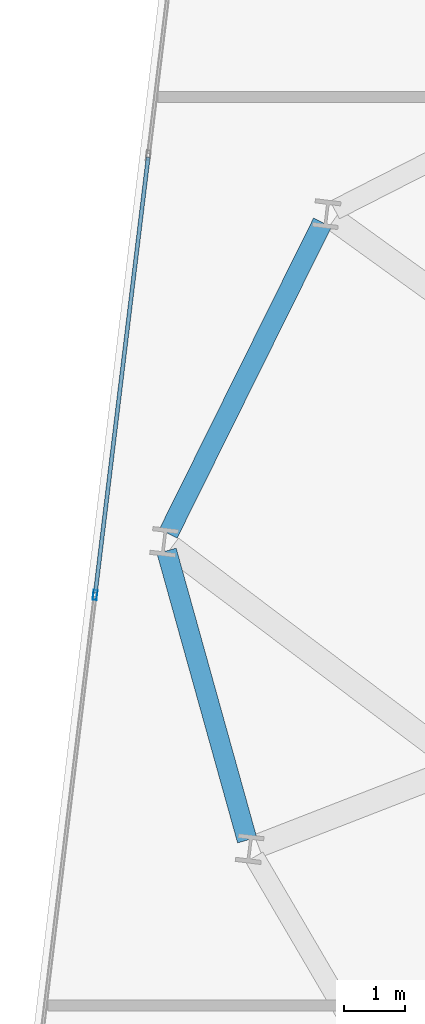
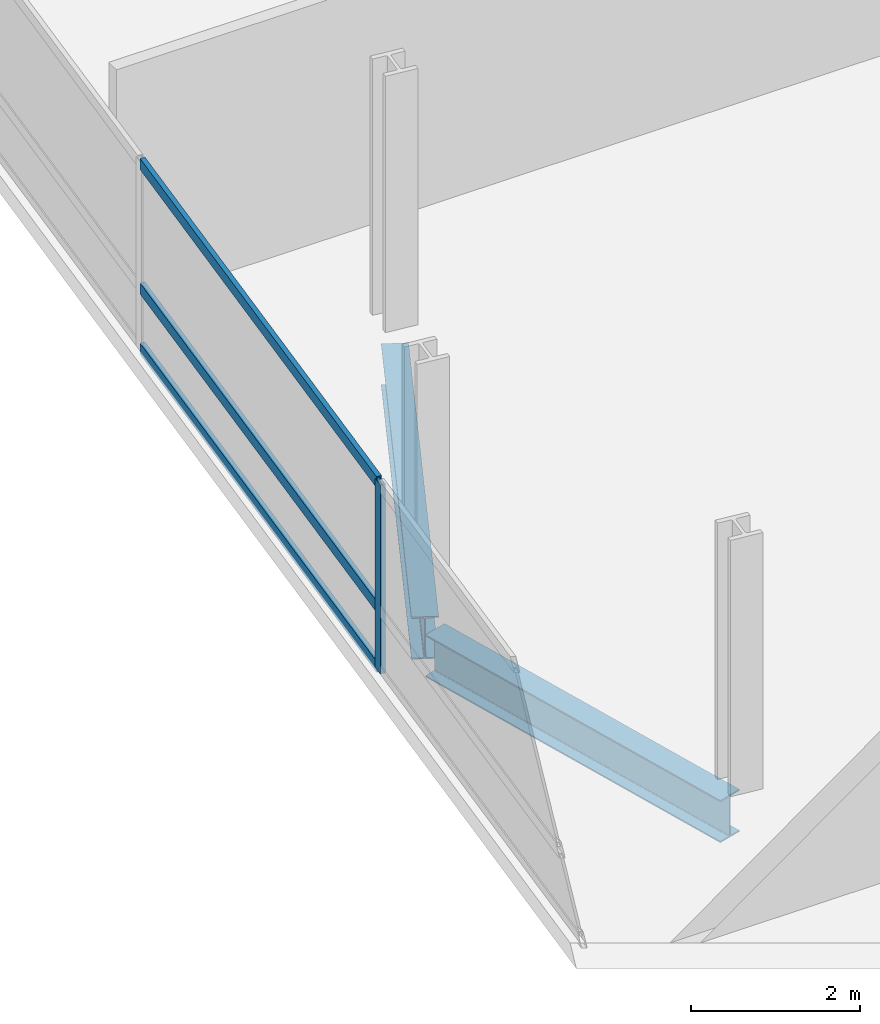
# One storey, part 8 of 25: 4 members, 2 beams, 1 element without a shape of its own.
"""IFC4 building model written with IfcOpenShell, lengths in metres."""

from ifc_helpers import new_model, si_unit, direction, frame, origin, origin_2d, place, context, subcontext, project, spatial, hollow_rectangle, i_section, extrude, material, layer, layer_set, material_profile, profile_set, type_object, element, aggregate, save


model = new_model("IFC4")

# Units and contexts
model_context = context("Model", 3, precision=1e-05, world=origin(), true_north=direction((0.0, 1.0)))
body_context = subcontext(model_context, "Body", "Model", "MODEL_VIEW")
ifc_project = project(units=[si_unit("LENGTHUNIT", "METRE"), si_unit("AREAUNIT", "SQUARE_METRE"), si_unit("VOLUMEUNIT", "CUBIC_METRE"), si_unit("PLANEANGLEUNIT", "RADIAN"), si_unit("MASSUNIT", "GRAM", prefix="KILO")], contexts=[model_context])

# Site, building, storey
site_placement = place(None, origin())
site = spatial("IfcSite", under=ifc_project, at=site_placement, CompositionType="ELEMENT")
building_placement = place(site_placement, origin())
building = spatial("IfcBuilding", under=site, at=building_placement, Name="Varnelok Gate Tower", CompositionType="ELEMENT")
storey_placement = place(building_placement, frame((0.0, 0.0, 140.199951171875)))
storey = spatial("IfcBuildingStorey", under=building, at=storey_placement, Name="L35", CompositionType="ELEMENT", Elevation=140.199951171875)

# Beams
ifc_material_1 = material(Name="Structural Steel ASTM A992 Grade 50", Category="steel")
ifc_material_profile_1 = material_profile(ifc_material_1, i_section(OverallWidth=0.323974609375, OverallDepth=0.611083984375, WebThickness=0.0126953125, FlangeThickness=0.01904296875, FilletRadius=0.01806640625, at=origin_2d()), Name="W24X104")
ifc_profile_set_1 = profile_set([ifc_material_profile_1], Name="Structural Steel ASTM A992 Grade 50")
beam_type = type_object("IfcBeamType", Name="BM-SPN-W24X104", PredefinedType="SPANDREL", material=ifc_profile_set_1)
beam_1_placement = place(storey_placement, frame((6.54052734375, 39.391357421875, -0.555419921875), z_axis=(-0.444186129993, -0.89593452993, 0.0), x_axis=(0.89593452993, -0.444186129993, 0.0)))
element("IfcBeam", 1, at=beam_1_placement, inside=storey, type_object=beam_type, Name="L35 Perimeter Spandrel Beam 14", PredefinedType="SPANDREL", context=body_context, shape_type="SweptSolid", body=[
    extrude(i_section(OverallWidth=0.323974609375, OverallDepth=0.611083984375, WebThickness=0.0126953125, FlangeThickness=0.01904296875, FilletRadius=0.01806640625, at=origin_2d()), origin(), (0.0, 0.0, 1.0), 5.649658203125),
])
beam_2_placement = place(storey_placement, frame((4.004638671875, 34.050537109375, -0.555419921875), z_axis=(0.268350251133, -0.963321411948, 0.0), x_axis=(0.963321411948, 0.268350251133, 0.0)))
element("IfcBeam", 2, at=beam_2_placement, inside=storey, type_object=beam_type, Name="L35 Perimeter Spandrel Beam 15", PredefinedType="SPANDREL", context=body_context, shape_type="SweptSolid", body=[
    extrude(i_section(OverallWidth=0.323974609375, OverallDepth=0.611083984375, WebThickness=0.0126953125, FlangeThickness=0.01904296875, FilletRadius=0.01806640625, at=origin_2d()), origin(), (0.0, 0.0, 1.0), 4.8837890625),
])

# Curtain wall, members
ifc_material_2 = material(Name="Anodized Aluminum Alloy 6063-T6", Category="aluminium")
ifc_layer = layer(ifc_material_2, 0.179931640625)
ifc_layer_set = layer_set([ifc_layer], Name="Anodized Aluminum Alloy 6063-T6")
curtain_wall_type = type_object("IfcCurtainWallType", Name="CW3-HOTEL-VISION", PredefinedType="USERDEFINED", material=ifc_layer_set)
curtain_wall_placement = place(storey_placement, origin())
curtain_wall = element("IfcCurtainWall", 3, at=curtain_wall_placement, inside=storey, type_object=curtain_wall_type, Name="L35 West End Vision Curtain Wall", ObjectType="UNITISED CURTAIN WALL", PredefinedType="USERDEFINED")
ifc_material_profile_2 = material_profile(ifc_material_2, hollow_rectangle(XDim=0.06494140625, YDim=0.159912109375, WallThickness=0.00390625, at=origin_2d()), Name="ALU160X65X4")
ifc_profile_set_2 = profile_set([ifc_material_profile_2], Name="Anodized Aluminum Alloy 6063-T6")
member_type_1 = type_object("IfcMemberType", Name="CW-MULL-160", PredefinedType="MULLION", material=ifc_profile_set_2)
member_1_placement = place(storey_placement, frame((2.842529296875, 33.333740234375, 0.0), z_axis=(0.0, 0.0, 1.0), x_axis=(-0.99273188146, 0.120347046212, 0.0)))
member_1 = element("IfcMember", 4, at=member_1_placement, type_object=member_type_1, Name="CW3 mullion 4", PredefinedType="MULLION", context=body_context, shape_type="SweptSolid", body=[
    extrude(hollow_rectangle(XDim=0.06494140625, YDim=0.159912109375, WallThickness=0.00390625, at=origin_2d()), origin(), (0.0, 0.0, 1.0), 2.72998046875),
])
ifc_material_profile_3 = material_profile(ifc_material_2, hollow_rectangle(XDim=0.06494140625, YDim=0.159912109375, WallThickness=0.00390625, at=origin_2d()), Name="ALU160X65X4")
ifc_profile_set_3 = profile_set([ifc_material_profile_3], Name="Anodized Aluminum Alloy 6063-T6")
member_type_2 = type_object("IfcMemberType", Name="CW-TRAN-160", PredefinedType="USERDEFINED", material=ifc_profile_set_3)
member_2_placement = place(storey_placement, frame((2.846435546875, 33.3662109375, 0.032470703125), z_axis=(0.120344652138, 0.992732171687, 0.0), x_axis=(-0.992732171687, 0.120344652138, 0.0)))
member_2 = element("IfcMember", 5, at=member_2_placement, type_object=member_type_2, Name="CW3 transom 4.1", ObjectType="TRANSOM", PredefinedType="USERDEFINED", context=body_context, shape_type="SweptSolid", body=[
    extrude(hollow_rectangle(XDim=0.06494140625, YDim=0.159912109375, WallThickness=0.00390625, at=origin_2d()), origin(), (0.0, 0.0, 1.0), 7.134765625),
])
member_3_placement = place(storey_placement, frame((2.846435546875, 33.3662109375, 0.900146484375), z_axis=(0.120344652138, 0.992732171687, 0.0), x_axis=(-0.992732171687, 0.120344652138, 0.0)))
member_3 = element("IfcMember", 6, at=member_3_placement, type_object=member_type_2, Name="CW3 transom 4.2", ObjectType="TRANSOM", PredefinedType="USERDEFINED", context=body_context, shape_type="SweptSolid", body=[
    extrude(hollow_rectangle(XDim=0.06494140625, YDim=0.159912109375, WallThickness=0.00390625, at=origin_2d()), origin(), (0.0, 0.0, 1.0), 7.134765625),
])
member_4_placement = place(storey_placement, frame((2.846435546875, 33.3662109375, 2.697509765625), z_axis=(0.120344652138, 0.992732171687, 0.0), x_axis=(-0.992732171687, 0.120344652138, 0.0)))
member_4 = element("IfcMember", 7, at=member_4_placement, type_object=member_type_2, Name="CW3 transom 4.3", ObjectType="TRANSOM", PredefinedType="USERDEFINED", context=body_context, shape_type="SweptSolid", body=[
    extrude(hollow_rectangle(XDim=0.06494140625, YDim=0.159912109375, WallThickness=0.00390625, at=origin_2d()), origin(), (0.0, 0.0, 1.0), 7.134765625),
])
aggregate(curtain_wall, [member_1, member_2, member_3, member_4])

save(model, "model.ifc")
